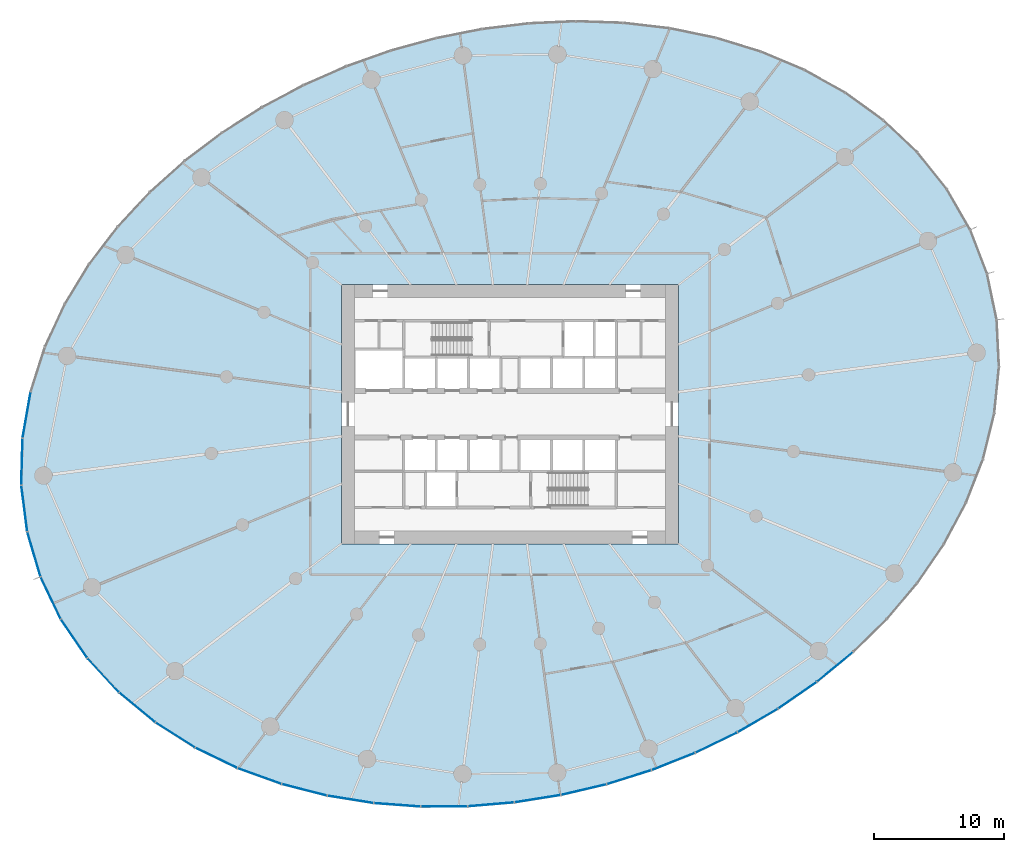
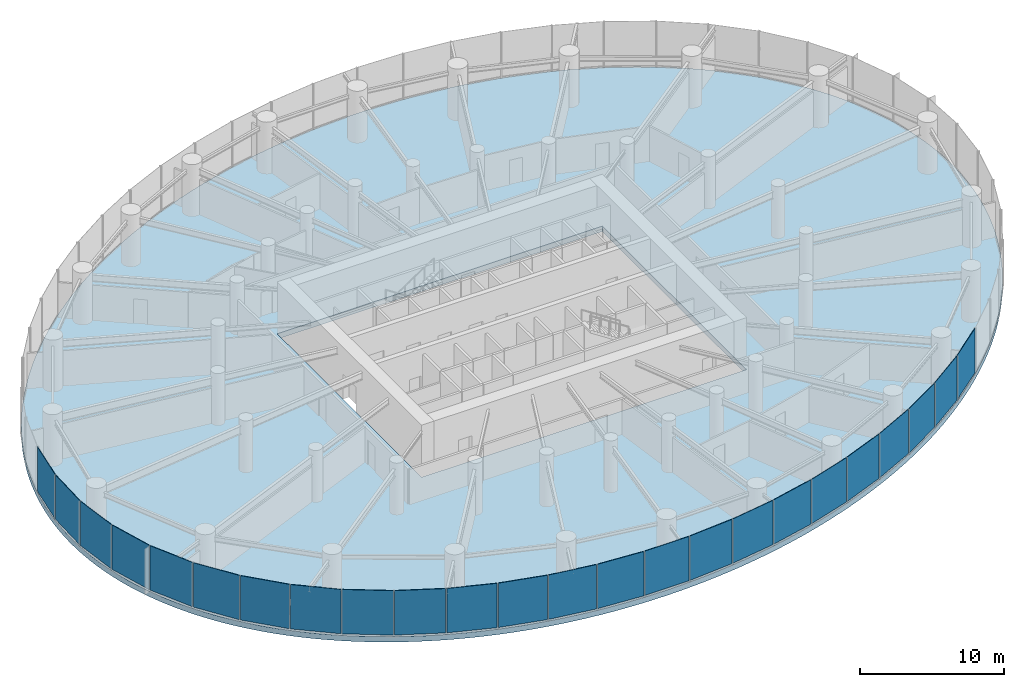
# One storey, part 9 of 18: 24 plates, 1 slab, 5 elements without a shape of their own.
"""IFC4 building model written with IfcOpenShell, lengths in metres."""

from ifc_helpers import new_model, si_unit, direction, frame, origin, origin_2d, place, context, subcontext, project, spatial, line, indexed_curve, rectangle, outline, extrude, source, transform, mapped, material, layer, layer_set, type_object, element, aggregate, save


model = new_model("IFC4")

# Units and contexts
model_context = context("Model", 3, precision=1e-05, world=origin(), true_north=direction((0.0, 1.0)))
body_context = subcontext(model_context, "Body", "Model", "MODEL_VIEW")
ifc_project = project(units=[si_unit("LENGTHUNIT", "METRE"), si_unit("AREAUNIT", "SQUARE_METRE"), si_unit("VOLUMEUNIT", "CUBIC_METRE"), si_unit("PLANEANGLEUNIT", "RADIAN"), si_unit("MASSUNIT", "GRAM", prefix="KILO")], contexts=[model_context])

# Site, building, storey
site_placement = place(None, origin())
site = spatial("IfcSite", under=ifc_project, at=site_placement, CompositionType="ELEMENT")
building_placement = place(site_placement, origin())
building = spatial("IfcBuilding", under=site, at=building_placement, Name="Spindrift Exchange Tower", CompositionType="ELEMENT")
storey_placement = place(building_placement, frame((0.0, 0.0, 71.0)))
storey = spatial("IfcBuildingStorey", under=building, at=storey_placement, Name="L16", CompositionType="ELEMENT", Elevation=71.0)

# Slab
ifc_material_1 = material(Name="Concrete 50 MPa", Category="concrete")
ifc_layer_1 = layer(ifc_material_1, 0.449951171875)
ifc_layer_set_1 = layer_set([ifc_layer_1], Name="RC Floor Slab 450 Concrete 50 MPa")
slab_type = type_object("IfcSlabType", Name="RC Floor Slab 450 Concrete 50 MPa", PredefinedType="FLOOR", material=ifc_layer_set_1)
slab_placement = place(storey_placement, frame((0.0, 0.0, -0.449951171875)))
element("IfcSlab", 1, at=slab_placement, inside=storey, type_object=slab_type, Name="Floor slab L16", PredefinedType="FLOOR", context=body_context, shape_type="SweptSolid", body=[
    extrude(outline(indexed_curve([(88.790771484375, 58.82421875), (88.615478515625, 59.392333984375), (88.42529296875, 59.955810546875), (88.220703125, 60.513916015625), (88.001220703125, 61.066650390625), (87.767578125, 61.613525390625), (87.52001953125, 62.154052734375), (87.258544921875, 62.68798828125), (86.9833984375, 63.215087890625), (86.69482421875, 63.735107421875), (86.393310546875, 64.24755859375), (86.078857421875, 64.752197265625), (85.751708984375, 65.248779296875), (85.41259765625, 65.7373046875), (85.061767578125, 66.21728515625), (84.69921875, 66.6884765625), (84.325439453125, 67.15087890625), (83.94091796875, 67.6044921875), (83.5458984375, 68.048828125), (83.140380859375, 68.48388671875), (82.725341796875, 68.909423828125), (82.300537109375, 69.32568359375), (81.86669921875, 69.732177734375), (81.423828125, 70.129150390625), (80.97265625, 70.516357421875), (80.51318359375, 70.893798828125), (80.045654296875, 71.26123046875), (79.57080078125, 71.619140625), (79.088623046875, 71.967041015625), (78.599365234375, 72.30517578125), (78.103515625, 72.63330078125), (77.6015625, 72.951904296875), (77.09326171875, 73.260498046875), (76.5791015625, 73.55908203125), (76.0595703125, 73.848388671875), (75.53466796875, 74.127685546875), (75.004638671875, 74.3974609375), (74.469970703125, 74.657470703125), (73.9306640625, 74.907958984375), (73.38720703125, 75.14892578125), (72.839599609375, 75.380615234375), (72.287841796875, 75.602783203125), (71.732666015625, 75.815673828125), (70.612060546875, 76.21337890625), (69.47900390625, 76.574951171875), (68.908447265625, 76.741943359375), (68.335205078125, 76.900146484375), (67.181884765625, 77.190185546875), (66.60205078125, 77.322021484375), (65.43701171875, 77.559814453125), (64.851806640625, 77.666015625), (63.677490234375, 77.852783203125), (63.08837890625, 77.93359375), (61.906982421875, 78.07080078125), (61.315185546875, 78.127197265625), (60.12939453125, 78.2158203125), (58.94140625, 78.272705078125), (58.346923828125, 78.289306640625), (57.15771484375, 78.299560546875), (56.563232421875, 78.29296875), (55.96875, 78.27880859375), (54.78076171875, 78.227783203125), (54.187255859375, 78.191162109375), (53.001708984375, 78.095703125), (52.41015625, 78.036865234375), (51.22900390625, 77.8974609375), (50.639892578125, 77.81689453125), (49.46484375, 77.63427734375), (48.29443359375, 77.42333984375), (47.711181640625, 77.30712890625), (46.54931640625, 77.05419921875), (45.393798828125, 76.7734375), (44.818603515625, 76.62255859375), (43.673583984375, 76.300537109375), (42.537109375, 75.951416015625), (41.40869140625, 75.5751953125), (40.84814453125, 75.376953125), (39.734375, 74.96044921875), (38.630859375, 74.51708984375), (38.0830078125, 74.28564453125), (36.996337890625, 73.802734375), (36.45751953125, 73.551513671875), (35.921630859375, 73.293701171875), (34.85986328125, 72.758056640625), (33.8115234375, 72.196533203125), (33.292724609375, 71.906005859375), (32.266357421875, 71.305419921875), (31.7587890625, 70.995361328125), (31.255615234375, 70.6787109375), (30.26123046875, 70.0263671875), (29.284423828125, 69.34814453125), (28.802734375, 68.99951171875), (28.325927734375, 68.644287109375), (27.38671875, 67.914794921875), (26.468017578125, 67.15966796875), (26.0166015625, 66.772705078125), (25.57080078125, 66.37939453125), (24.696044921875, 65.573486328125), (24.267578125, 65.1611328125), (23.42919921875, 64.31787109375), (22.61669921875, 63.449462890625), (22.220458984375, 63.006103515625), (21.44921875, 62.100830078125), (21.07470703125, 61.63916015625), (20.347900390625, 60.69775390625), (19.996337890625, 60.21826171875), (19.318115234375, 59.241455078125), (18.99169921875, 58.744384765625), (18.673828125, 58.24169921875), (18.365234375, 57.733642578125), (18.06591796875, 57.219970703125), (17.77587890625, 56.70068359375), (17.49560546875, 56.176513671875), (17.22509765625, 55.646728515625), (16.965087890625, 55.112060546875), (16.71533203125, 54.572509765625), (16.476318359375, 54.028076171875), (16.248291015625, 53.47900390625), (16.03125, 52.92529296875), (15.82568359375, 52.3671875), (15.6318359375, 51.80517578125), (15.449951171875, 51.239013671875), (15.2802734375, 50.669189453125), (15.123046875, 50.095703125), (14.978515625, 49.51904296875), (14.8466796875, 48.939208984375), (14.728271484375, 48.3564453125), (14.623046875, 47.771240234375), (14.531494140625, 47.18359375), (14.45361328125, 46.59423828125), (14.389892578125, 46.0029296875), (14.340576171875, 45.410400390625), (14.305419921875, 44.81689453125), (14.284912109375, 44.22265625), (14.27880859375, 43.6279296875), (14.287841796875, 43.033447265625), (14.311767578125, 42.439453125), (14.350830078125, 41.845947265625), (14.40478515625, 41.25390625), (14.47412109375, 40.663330078125), (14.55859375, 40.07470703125), (14.658447265625, 39.488525390625), (14.7734375, 38.9052734375), (14.903564453125, 38.324951171875), (15.048828125, 37.748291015625), (15.209228515625, 37.17578125), (15.384521484375, 36.607666015625), (15.57470703125, 36.044189453125), (15.779296875, 35.486083984375), (15.998779296875, 34.933349609375), (16.232421875, 34.386474609375), (16.47998046875, 33.845947265625), (16.741455078125, 33.31201171875), (17.0166015625, 32.784912109375), (17.30517578125, 32.264892578125), (17.606689453125, 31.75244140625), (17.921142578125, 31.247802734375), (18.248291015625, 30.751220703125), (18.58740234375, 30.2626953125), (18.938232421875, 29.78271484375), (19.30078125, 29.3115234375), (19.674560546875, 28.84912109375), (20.05908203125, 28.3955078125), (20.4541015625, 27.951171875), (20.859619140625, 27.51611328125), (21.274658203125, 27.090576171875), (21.699462890625, 26.67431640625), (22.13330078125, 26.267822265625), (22.576171875, 25.870849609375), (23.02734375, 25.483642578125), (23.48681640625, 25.106201171875), (23.954345703125, 24.73876953125), (24.42919921875, 24.380859375), (24.911376953125, 24.032958984375), (25.400634765625, 23.69482421875), (25.896484375, 23.36669921875), (26.3984375, 23.048095703125), (26.90673828125, 22.739501953125), (27.4208984375, 22.44091796875), (27.9404296875, 22.151611328125), (28.46533203125, 21.872314453125), (28.995361328125, 21.6025390625), (29.530029296875, 21.342529296875), (30.0693359375, 21.092041015625), (30.61279296875, 20.85107421875), (31.160400390625, 20.619384765625), (31.712158203125, 20.397216796875), (32.267333984375, 20.184326171875), (33.387939453125, 19.78662109375), (34.52099609375, 19.425048828125), (35.091552734375, 19.258056640625), (35.664794921875, 19.099853515625), (36.818115234375, 18.809814453125), (37.39794921875, 18.677978515625), (38.56298828125, 18.440185546875), (39.148193359375, 18.333984375), (40.322509765625, 18.147216796875), (40.91162109375, 18.06640625), (42.093017578125, 17.92919921875), (42.684814453125, 17.872802734375), (43.87060546875, 17.7841796875), (45.05859375, 17.727294921875), (45.653076171875, 17.710693359375), (46.84228515625, 17.700439453125), (47.436767578125, 17.70703125), (48.03125, 17.72119140625), (49.21923828125, 17.772216796875), (49.812744140625, 17.808837890625), (50.998291015625, 17.904296875), (52.180908203125, 18.029296875), (52.77099609375, 18.1025390625), (53.360107421875, 18.18310546875), (54.53515625, 18.36572265625), (55.70556640625, 18.57666015625), (56.288818359375, 18.69287109375), (57.45068359375, 18.94580078125), (58.606201171875, 19.2265625), (59.181396484375, 19.37744140625), (60.326416015625, 19.699462890625), (61.462890625, 20.048583984375), (62.59130859375, 20.4248046875), (63.15185546875, 20.623046875), (64.265625, 21.03955078125), (65.369140625, 21.48291015625), (65.9169921875, 21.71435546875), (67.003662109375, 22.197265625), (67.54248046875, 22.448486328125), (68.078369140625, 22.706298828125), (69.14013671875, 23.241943359375), (70.1884765625, 23.803466796875), (70.707275390625, 24.093994140625), (71.733642578125, 24.694580078125), (72.2412109375, 25.004638671875), (72.744384765625, 25.3212890625), (73.73876953125, 25.9736328125), (74.715576171875, 26.65185546875), (75.197265625, 27.00048828125), (75.674072265625, 27.355712890625), (76.61328125, 28.085205078125), (77.531982421875, 28.84033203125), (77.9833984375, 29.227294921875), (78.42919921875, 29.62060546875), (79.303955078125, 30.426513671875), (79.732421875, 30.8388671875), (80.57080078125, 31.68212890625), (81.38330078125, 32.550537109375), (81.779541015625, 32.993896484375), (82.55078125, 33.899169921875), (82.92529296875, 34.36083984375), (83.652099609375, 35.30224609375), (84.003662109375, 35.78173828125), (84.681884765625, 36.758544921875), (85.00830078125, 37.255615234375), (85.326171875, 37.75830078125), (85.634765625, 38.266357421875), (85.93408203125, 38.780029296875), (86.22412109375, 39.29931640625), (86.50439453125, 39.823486328125), (86.77490234375, 40.353271484375), (87.034912109375, 40.887939453125), (87.28466796875, 41.427490234375), (87.523681640625, 41.971923828125), (87.751708984375, 42.52099609375), (87.96875, 43.07470703125), (88.17431640625, 43.6328125), (88.3681640625, 44.19482421875), (88.550048828125, 44.760986328125), (88.7197265625, 45.330810546875), (88.876953125, 45.904296875), (89.021484375, 46.48095703125), (89.1533203125, 47.060791015625), (89.271728515625, 47.6435546875), (89.376953125, 48.228759765625), (89.468505859375, 48.81640625), (89.54638671875, 49.40576171875), (89.610107421875, 49.9970703125), (89.659423828125, 50.589599609375), (89.694580078125, 51.18310546875), (89.715087890625, 51.77734375), (89.72119140625, 52.3720703125), (89.712158203125, 52.966552734375), (89.688232421875, 53.560546875), (89.649169921875, 54.154052734375), (89.59521484375, 54.74609375), (89.52587890625, 55.336669921875), (89.44140625, 55.92529296875), (89.341552734375, 56.511474609375), (89.2265625, 57.0947265625), (89.096435546875, 57.675048828125), (88.951171875, 58.251708984375)], segments=[line(1, 2, 3, 4, 5, 6, 7, 8, 9, 10, 11, 12, 13, 14, 15, 16, 17, 18, 19, 20, 21, 22, 23, 24, 25, 26, 27, 28, 29, 30, 31, 32, 33, 34, 35, 36, 37, 38, 39, 40, 41, 42, 43, 44, 45, 46, 47, 48, 49, 50, 51, 52, 53, 54, 55, 56, 57, 58, 59, 60, 61, 62, 63, 64, 65, 66, 67, 68, 69, 70, 71, 72, 73, 74, 75, 76, 77, 78, 79, 80, 81, 82, 83, 84, 85, 86, 87, 88, 89, 90, 91, 92, 93, 94, 95, 96, 97, 98, 99, 100, 101, 102, 103, 104, 105, 106, 107, 108, 109, 110, 111, 112, 113, 114, 115, 116, 117, 118, 119, 120, 121, 122, 123, 124, 125, 126, 127, 128, 129, 130, 131, 132, 133, 134, 135, 136, 137, 138, 139, 140, 141, 142, 143, 144, 145, 146, 147, 148, 149, 150, 151, 152, 153, 154, 155, 156, 157, 158, 159, 160, 161, 162, 163, 164, 165, 166, 167, 168, 169, 170, 171, 172, 173, 174, 175, 176, 177, 178, 179, 180, 181, 182, 183, 184, 185, 186, 187, 188, 189, 190, 191, 192, 193, 194, 195, 196, 197, 198, 199, 200, 201, 202, 203, 204, 205, 206, 207, 208, 209, 210, 211, 212, 213, 214, 215, 216, 217, 218, 219, 220, 221, 222, 223, 224, 225, 226, 227, 228, 229, 230, 231, 232, 233, 234, 235, 236, 237, 238, 239, 240, 241, 242, 243, 244, 245, 246, 247, 248, 249, 250, 251, 252, 253, 254, 255, 256, 257, 258, 259, 260, 261, 262, 263, 264, 265, 266, 267, 268, 269, 270, 271, 272, 273, 274, 275, 276, 277, 278, 279, 280, 281, 282, 283, 284, 285, 286, 287, 288, 289, 290, 1)], self_intersect=False), holes=[indexed_curve([(39.0, 38.0), (65.0, 38.0), (65.0, 58.0), (39.0, 58.0)], segments=[line(1, 2, 3, 4, 1)], self_intersect=False)]), origin(), (0.0, 0.0, 1.0), 0.449951171875),
])

# Curtain wall, plate
ifc_material_2 = material(Name="Fritted laminated glass with bronze frame", Category="glass")
ifc_layer_2 = layer(ifc_material_2, 0.199951171875)
ifc_layer_set_2 = layer_set([ifc_layer_2], Name="ZONE 1 BRONZE FRITTED WALL")
curtain_wall_type = type_object("IfcCurtainWallType", Name="ZONE 1 BRONZE FRITTED WALL", PredefinedType="NOTDEFINED", material=ifc_layer_set_2)
curtain_wall_1_placement = place(storey_placement, origin())
curtain_wall_1 = element("IfcCurtainWall", 2, at=curtain_wall_1_placement, inside=storey, type_object=curtain_wall_type, Name="L16 Zone 1 Bronze Fritted Wall run 6", PredefinedType="NOTDEFINED")
ifc_material_3 = material(Name="Bronze fritted laminated glass, dense frit", Category="glass")
ifc_layer_3 = layer(ifc_material_3, 0.035888671875)
ifc_layer_set_3 = layer_set([ifc_layer_3], Name="ZONE 1 BRONZE FRITTED WALL PANEL DENSE FRIT 300")
plate_type_1 = type_object("IfcPlateType", Name="ZONE 1 BRONZE FRITTED WALL PANEL DENSE FRIT 300", PredefinedType="CURTAIN_PANEL", material=ifc_layer_set_3)
shared_shape_1 = source(origin(), body_context, "Body", "SweptSolid", [
    extrude(rectangle(XDim=3.54443359375, YDim=0.035888671875, at=origin_2d()), origin(), (0.0, 0.0, 1.0), 3.75),
])
plate_1_placement = place(storey_placement, frame((16.5703125, 33.822021484375, 0.14990234375), z_axis=(0.0, 0.0, 1.0), x_axis=(0.430460686265, -0.902609327218, 0.0)))
plate_1 = element("IfcPlate", 3, at=plate_1_placement, type_object=plate_type_1, Name="L16 panel CW-1.31", PredefinedType="CURTAIN_PANEL", context=body_context, shape_type="MappedRepresentation", body=[
    mapped(shared_shape_1, transform((0.0, 0.0, 0.0), scale=1.0)),
])

curtain_wall_2_placement = place(storey_placement, origin())
curtain_wall_2 = element("IfcCurtainWall", 4, at=curtain_wall_2_placement, inside=storey, type_object=curtain_wall_type, Name="L16 Zone 1 Bronze Fritted Wall run 5", PredefinedType="NOTDEFINED")
ifc_layer_4 = layer(ifc_material_3, 0.035888671875)
ifc_layer_set_4 = layer_set([ifc_layer_4], Name="ZONE 1 BRONZE FRITTED WALL PANEL DENSE FRIT 420")
plate_type_2 = type_object("IfcPlateType", Name="ZONE 1 BRONZE FRITTED WALL PANEL DENSE FRIT 420", PredefinedType="CURTAIN_PANEL", material=ifc_layer_set_4)
shared_shape_2 = source(origin(), body_context, "Body", "SweptSolid", [
    extrude(rectangle(XDim=3.544677734375, YDim=0.035888671875, at=origin_2d()), origin(), (0.0, 0.0, 1.0), 3.75),
])
plate_2_placement = place(storey_placement, frame((14.35595703125, 44.341796875, 0.14990234375), z_axis=(0.0, 0.0, 1.0), x_axis=(-0.026925430573, -0.999637444871, 0.0)))
plate_2 = element("IfcPlate", 5, at=plate_2_placement, type_object=plate_type_2, Name="L16 panel CW-1.28", PredefinedType="CURTAIN_PANEL", context=body_context, shape_type="MappedRepresentation", body=[
    mapped(shared_shape_2, transform((0.0, 0.0, 0.0), scale=1.0)),
])

# Curtain wall, plates
curtain_wall_3_placement = place(storey_placement, origin())
curtain_wall_3 = element("IfcCurtainWall", 6, at=curtain_wall_3_placement, inside=storey, type_object=curtain_wall_type, Name="L16 Zone 1 Bronze Fritted Wall run 7", PredefinedType="NOTDEFINED")
ifc_layer_5 = layer(ifc_material_3, 0.035888671875)
ifc_layer_set_5 = layer_set([ifc_layer_5], Name="ZONE 1 BRONZE FRITTED WALL PANEL DENSE FRIT 180")
plate_type_3 = type_object("IfcPlateType", Name="ZONE 1 BRONZE FRITTED WALL PANEL DENSE FRIT 180", PredefinedType="CURTAIN_PANEL", material=ifc_layer_set_5)
shared_shape_3 = source(origin(), body_context, "Body", "SweptSolid", [
    extrude(rectangle(XDim=3.546630859375, YDim=0.035888671875, at=origin_2d()), origin(), (0.0, 0.0, 1.0), 3.75),
])
plate_3_placement = place(storey_placement, frame((32.68017578125, 20.08154296875, 0.14990234375), z_axis=(0.0, 0.0, 1.0), x_axis=(0.940653533327, -0.339368428465, 0.0)))
plate_3 = element("IfcPlate", 7, at=plate_3_placement, type_object=plate_type_3, Name="L16 panel CW-1.37", PredefinedType="CURTAIN_PANEL", context=body_context, shape_type="MappedRepresentation", body=[
    mapped(shared_shape_3, transform((0.0, 0.0, 0.0), scale=1.0)),
])
shared_shape_4 = source(origin(), body_context, "Body", "SweptSolid", [
    extrude(rectangle(XDim=3.547119140625, YDim=0.035888671875, at=origin_2d()), origin(), (0.0, 0.0, 1.0), 3.75),
])
plate_4_placement = place(storey_placement, frame((39.691162109375, 18.283447265625, 0.14990234375), z_axis=(0.0, 0.0, 1.0), x_axis=(0.987349685013, -0.158557874309, 0.0)))
plate_4 = element("IfcPlate", 8, at=plate_4_placement, type_object=plate_type_1, Name="L16 panel CW-1.39", PredefinedType="CURTAIN_PANEL", context=body_context, shape_type="MappedRepresentation", body=[
    mapped(shared_shape_4, transform((0.0, 0.0, 0.0), scale=1.0)),
])
plate_5_placement = place(storey_placement, frame((43.290283203125, 17.86083984375, 0.14990234375), z_axis=(0.0, 0.0, 1.0), x_axis=(0.997223605807, -0.074465294078, 0.0)))
plate_5 = element("IfcPlate", 9, at=plate_5_placement, type_object=plate_type_1, Name="L16 panel CW-1.40", PredefinedType="CURTAIN_PANEL", context=body_context, shape_type="MappedRepresentation", body=[
    mapped(shared_shape_4, transform((0.0, 0.0, 0.0), scale=1.0)),
])

# Curtain wall, plate
curtain_wall_4_placement = place(storey_placement, origin())
curtain_wall_4 = element("IfcCurtainWall", 10, at=curtain_wall_4_placement, inside=storey, type_object=curtain_wall_type, Name="L16 Zone 1 Bronze Fritted Wall run 9", PredefinedType="NOTDEFINED")
plate_6_placement = place(storey_placement, frame((77.06640625, 28.501953125, 0.14990234375), z_axis=(0.0, 0.0, 1.0), x_axis=(0.772166064414, 0.635420781032, 0.0)))
plate_6 = element("IfcPlate", 11, at=plate_6_placement, type_object=plate_type_1, Name="L16 panel CW-1.50", PredefinedType="CURTAIN_PANEL", context=body_context, shape_type="MappedRepresentation", body=[
    mapped(shared_shape_4, transform((0.0, 0.0, 0.0), scale=1.0)),
])

# Plate
shared_shape_5 = source(origin(), body_context, "Body", "SweptSolid", [
    extrude(rectangle(XDim=3.54736328125, YDim=0.035888671875, at=origin_2d()), origin(), (0.0, 0.0, 1.0), 3.75),
])
plate_7_placement = place(storey_placement, frame((46.91259765625, 17.736572265625, 0.14990234375), z_axis=(0.0, 0.0, 1.0), x_axis=(0.999982434568, 0.005927103435, 0.0)))
plate_7 = element("IfcPlate", 12, at=plate_7_placement, type_object=plate_type_2, Name="L16 panel CW-1.41", PredefinedType="CURTAIN_PANEL", context=body_context, shape_type="MappedRepresentation", body=[
    mapped(shared_shape_5, transform((0.0, 0.0, 0.0), scale=1.0)),
])

# Curtain wall, plates
curtain_wall_5_placement = place(storey_placement, origin())
curtain_wall_5 = element("IfcCurtainWall", 13, at=curtain_wall_5_placement, inside=storey, type_object=curtain_wall_type, Name="L16 Zone 1 Bronze Fritted Wall run 8", PredefinedType="NOTDEFINED")
plate_8_placement = place(storey_placement, frame((54.132080078125, 18.333740234375, 0.14990234375), z_axis=(0.0, 0.0, 1.0), x_axis=(0.987541564536, 0.157358375418, 0.0)))
plate_8 = element("IfcPlate", 14, at=plate_8_placement, type_object=plate_type_2, Name="L16 panel CW-1.43", PredefinedType="CURTAIN_PANEL", context=body_context, shape_type="MappedRepresentation", body=[
    mapped(shared_shape_5, transform((0.0, 0.0, 0.0), scale=1.0)),
])
plate_9_placement = place(storey_placement, frame((57.6884765625, 19.03515625, 0.14990234375), z_axis=(0.0, 0.0, 1.0), x_axis=(0.973334436487, 0.229390659679, 0.0)))
plate_9 = element("IfcPlate", 15, at=plate_9_placement, type_object=plate_type_2, Name="L16 panel CW-1.44", PredefinedType="CURTAIN_PANEL", context=body_context, shape_type="MappedRepresentation", body=[
    mapped(shared_shape_5, transform((0.0, 0.0, 0.0), scale=1.0)),
])
plate_10_placement = place(storey_placement, frame((67.918701171875, 22.66650390625, 0.14990234375), z_axis=(0.0, 0.0, 1.0), x_axis=(0.899803117751, 0.436296171524, 0.0)))
plate_10 = element("IfcPlate", 16, at=plate_10_placement, type_object=plate_type_2, Name="L16 panel CW-1.47", PredefinedType="CURTAIN_PANEL", context=body_context, shape_type="MappedRepresentation", body=[
    mapped(shared_shape_5, transform((0.0, 0.0, 0.0), scale=1.0)),
])
shared_shape_6 = source(origin(), body_context, "Body", "SweptSolid", [
    extrude(rectangle(XDim=3.54736328125, YDim=0.035888671875, at=origin_2d()), origin(), (0.0, 0.0, 1.0), 3.75),
])
plate_11_placement = place(storey_placement, frame((61.18408203125, 19.994873046875, 0.14990234375), z_axis=(0.0, 0.0, 1.0), x_axis=(0.954044925419, 0.299663611874, 0.0)))
plate_11 = element("IfcPlate", 17, at=plate_11_placement, type_object=plate_type_1, Name="L16 panel CW-1.45", PredefinedType="CURTAIN_PANEL", context=body_context, shape_type="MappedRepresentation", body=[
    mapped(shared_shape_6, transform((0.0, 0.0, 0.0), scale=1.0)),
])
plate_12_placement = place(storey_placement, frame((64.6005859375, 21.206787109375, 0.14990234375), z_axis=(0.0, 0.0, 1.0), x_axis=(0.929617059155, 0.36852696418, 0.0)))
plate_12 = element("IfcPlate", 18, at=plate_12_placement, type_object=plate_type_1, Name="L16 panel CW-1.46", PredefinedType="CURTAIN_PANEL", context=body_context, shape_type="MappedRepresentation", body=[
    mapped(shared_shape_6, transform((0.0, 0.0, 0.0), scale=1.0)),
])

# Plate
shared_shape_7 = source(origin(), body_context, "Body", "SweptSolid", [
    extrude(rectangle(XDim=3.54736328125, YDim=0.035888671875, at=origin_2d()), origin(), (0.0, 0.0, 1.0), 3.75),
])
plate_13_placement = place(storey_placement, frame((50.533447265625, 17.897705078125, 0.14990234375), z_axis=(0.0, 0.0, 1.0), x_axis=(0.996548861752, 0.083008229359, 0.0)))
plate_13 = element("IfcPlate", 19, at=plate_13_placement, type_object=plate_type_3, Name="L16 panel CW-1.42", PredefinedType="CURTAIN_PANEL", context=body_context, shape_type="MappedRepresentation", body=[
    mapped(shared_shape_7, transform((0.0, 0.0, 0.0), scale=1.0)),
])

plate_14_placement = place(storey_placement, frame((71.11767578125, 24.37060546875, 0.14990234375), z_axis=(0.0, 0.0, 1.0), x_axis=(0.864114974105, 0.503294458073, 0.0)))
plate_14 = element("IfcPlate", 20, at=plate_14_placement, type_object=plate_type_3, Name="L16 panel CW-1.48", PredefinedType="CURTAIN_PANEL", context=body_context, shape_type="MappedRepresentation", body=[
    mapped(shared_shape_7, transform((0.0, 0.0, 0.0), scale=1.0)),
])

aggregate(curtain_wall_5, [plate_8, plate_9, plate_11, plate_12, plate_10, plate_14])

plate_15_placement = place(storey_placement, frame((74.175537109375, 26.31640625, 0.14990234375), z_axis=(0.0, 0.0, 1.0), x_axis=(0.82188363707, 0.569655410855, 0.0)))
plate_15 = element("IfcPlate", 21, at=plate_15_placement, type_object=plate_type_3, Name="L16 panel CW-1.49", PredefinedType="CURTAIN_PANEL", context=body_context, shape_type="MappedRepresentation", body=[
    mapped(shared_shape_7, transform((0.0, 0.0, 0.0), scale=1.0)),
])

aggregate(curtain_wall_4, [plate_15, plate_6])

shared_shape_8 = source(origin(), body_context, "Body", "SweptSolid", [
    extrude(rectangle(XDim=3.546875, YDim=0.035888671875, at=origin_2d()), origin(), (0.0, 0.0, 1.0), 3.75),
])
plate_16_placement = place(storey_placement, frame((36.143310546875, 19.0185546875, 0.14990234375), z_axis=(0.0, 0.0, 1.0), x_axis=(0.969067441506, -0.246796057127, 0.0)))
plate_16 = element("IfcPlate", 22, at=plate_16_placement, type_object=plate_type_3, Name="L16 panel CW-1.38", PredefinedType="CURTAIN_PANEL", context=body_context, shape_type="MappedRepresentation", body=[
    mapped(shared_shape_8, transform((0.0, 0.0, 0.0), scale=1.0)),
])

aggregate(curtain_wall_3, [plate_3, plate_16, plate_4, plate_5, plate_7, plate_13])

shared_shape_9 = source(origin(), body_context, "Body", "SweptSolid", [
    extrude(rectangle(XDim=3.546142578125, YDim=0.035888671875, at=origin_2d()), origin(), (0.0, 0.0, 1.0), 3.75),
])
plate_17_placement = place(storey_placement, frame((26.179931640625, 23.249267578125, 0.14990234375), z_axis=(0.0, 0.0, 1.0), x_axis=(0.844387772662, -0.535732479302, 0.0)))
plate_17 = element("IfcPlate", 23, at=plate_17_placement, type_object=plate_type_1, Name="L16 panel CW-1.35", PredefinedType="CURTAIN_PANEL", context=body_context, shape_type="MappedRepresentation", body=[
    mapped(shared_shape_9, transform((0.0, 0.0, 0.0), scale=1.0)),
])

shared_shape_10 = source(origin(), body_context, "Body", "SweptSolid", [
    extrude(rectangle(XDim=3.545654296875, YDim=0.035888671875, at=origin_2d()), origin(), (0.0, 0.0, 1.0), 3.75),
])
plate_18_placement = place(storey_placement, frame((23.2509765625, 25.37451171875, 0.14990234375), z_axis=(0.0, 0.0, 1.0), x_axis=(0.771208105926, -0.636583111113, 0.0)))
plate_18 = element("IfcPlate", 24, at=plate_18_placement, type_object=plate_type_1, Name="L16 panel CW-1.34", PredefinedType="CURTAIN_PANEL", context=body_context, shape_type="MappedRepresentation", body=[
    mapped(shared_shape_10, transform((0.0, 0.0, 0.0), scale=1.0)),
])

shared_shape_11 = source(origin(), body_context, "Body", "SweptSolid", [
    extrude(rectangle(XDim=3.545166015625, YDim=0.035888671875, at=origin_2d()), origin(), (0.0, 0.0, 1.0), 3.75),
])
plate_19_placement = place(storey_placement, frame((14.716552734375, 47.93896484375, 0.14990234375), z_axis=(0.0, 0.0, 1.0), x_axis=(-0.172016785944, -0.985094018535, 0.0)))
plate_19 = element("IfcPlate", 25, at=plate_19_placement, type_object=plate_type_3, Name="L16 panel CW-1.27", PredefinedType="CURTAIN_PANEL", context=body_context, shape_type="MappedRepresentation", body=[
    mapped(shared_shape_11, transform((0.0, 0.0, 0.0), scale=1.0)),
])

plate_20_placement = place(storey_placement, frame((20.623779296875, 27.86083984375, 0.14990234375), z_axis=(0.0, 0.0, 1.0), x_axis=(0.678080140485, -0.734987974785, 0.0)))
plate_20 = element("IfcPlate", 26, at=plate_20_placement, type_object=plate_type_3, Name="L16 panel CW-1.33", PredefinedType="CURTAIN_PANEL", context=body_context, shape_type="MappedRepresentation", body=[
    mapped(shared_shape_11, transform((0.0, 0.0, 0.0), scale=1.0)),
])

shared_shape_12 = source(origin(), body_context, "Body", "SweptSolid", [
    extrude(rectangle(XDim=3.54443359375, YDim=0.035888671875, at=origin_2d()), origin(), (0.0, 0.0, 1.0), 3.75),
])
plate_21_placement = place(storey_placement, frame((14.537109375, 40.732421875, 0.14990234375), z_axis=(0.0, 0.0, 1.0), x_axis=(0.12691399427, -0.991913725108, 0.0)))
plate_21 = element("IfcPlate", 27, at=plate_21_placement, type_object=plate_type_3, Name="L16 panel CW-1.29", PredefinedType="CURTAIN_PANEL", context=body_context, shape_type="MappedRepresentation", body=[
    mapped(shared_shape_12, transform((0.0, 0.0, 0.0), scale=1.0)),
])

plate_22_placement = place(storey_placement, frame((15.27880859375, 37.1962890625, 0.14990234375), z_axis=(0.0, 0.0, 1.0), x_axis=(0.282256065469, -0.959339102459, 0.0)))
plate_22 = element("IfcPlate", 28, at=plate_22_placement, type_object=plate_type_3, Name="L16 panel CW-1.30", PredefinedType="CURTAIN_PANEL", context=body_context, shape_type="MappedRepresentation", body=[
    mapped(shared_shape_12, transform((0.0, 0.0, 0.0), scale=1.0)),
])

aggregate(curtain_wall_2, [plate_19, plate_2, plate_21, plate_22])

shared_shape_13 = source(origin(), body_context, "Body", "SweptSolid", [
    extrude(rectangle(XDim=3.544921875, YDim=0.035888671875, at=origin_2d()), origin(), (0.0, 0.0, 1.0), 3.75),
])
plate_23_placement = place(storey_placement, frame((18.37255859375, 30.689697265625, 0.14990234375), z_axis=(0.0, 0.0, 1.0), x_axis=(0.563980135008, -0.825788355038, 0.0)))
plate_23 = element("IfcPlate", 29, at=plate_23_placement, type_object=plate_type_3, Name="L16 panel CW-1.32", PredefinedType="CURTAIN_PANEL", context=body_context, shape_type="MappedRepresentation", body=[
    mapped(shared_shape_13, transform((0.0, 0.0, 0.0), scale=1.0)),
])

shared_shape_14 = source(origin(), body_context, "Body", "SweptSolid", [
    extrude(rectangle(XDim=3.54638671875, YDim=0.035888671875, at=origin_2d()), origin(), (0.0, 0.0, 1.0), 3.75),
])
plate_24_placement = place(storey_placement, frame((29.342529296875, 21.4873046875, 0.14990234375), z_axis=(0.0, 0.0, 1.0), x_axis=(0.899960685481, -0.435971059348, 0.0)))
plate_24 = element("IfcPlate", 30, at=plate_24_placement, type_object=plate_type_3, Name="L16 panel CW-1.36", PredefinedType="CURTAIN_PANEL", context=body_context, shape_type="MappedRepresentation", body=[
    mapped(shared_shape_14, transform((0.0, 0.0, 0.0), scale=1.0)),
])

aggregate(curtain_wall_1, [plate_1, plate_23, plate_20, plate_18, plate_17, plate_24])

save(model, "model.ifc")
